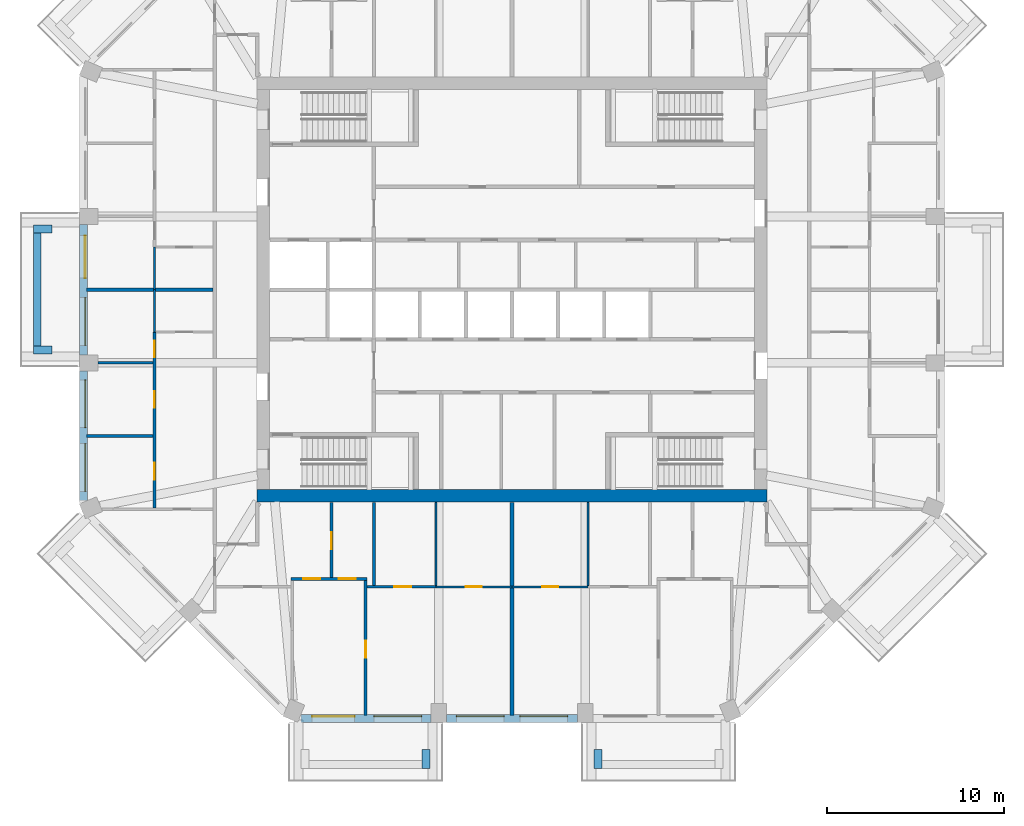
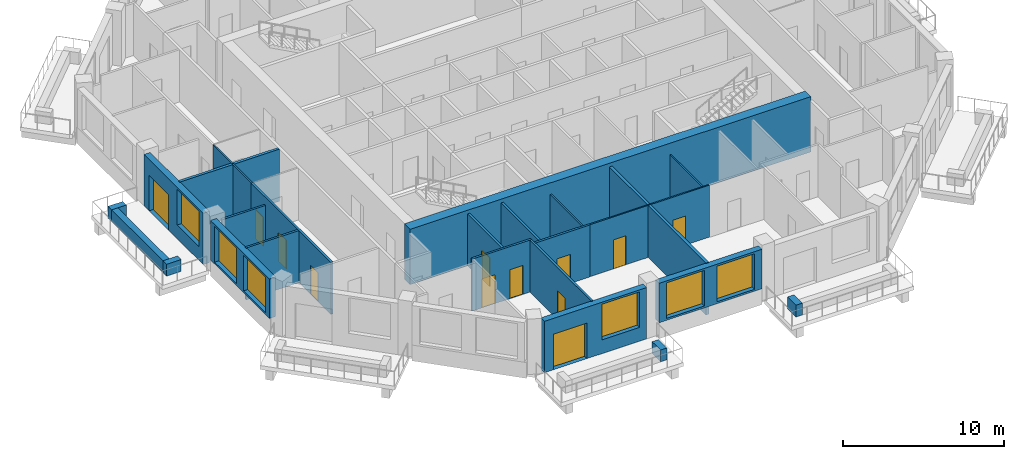
# One storey, part 3 of 12: 26 walls, 12 doors, 6 windows, 18 openings.
"""IFC4 building model written with IfcOpenShell, lengths in metres."""

from ifc_helpers import new_model, si_unit, direction, frame, frame_2d, origin, place, context, subcontext, project, spatial, rectangle, extrude, material, layer, layer_set, type_object, element, fill, save


model = new_model("IFC4")

# Units and contexts
model_context = context("Model", 3, precision=1e-05, world=origin(), true_north=direction((0.0, 1.0)))
body_context = subcontext(model_context, "Body", "Model", "MODEL_VIEW")
ifc_project = project(units=[si_unit("LENGTHUNIT", "METRE"), si_unit("AREAUNIT", "SQUARE_METRE"), si_unit("VOLUMEUNIT", "CUBIC_METRE"), si_unit("PLANEANGLEUNIT", "RADIAN"), si_unit("MASSUNIT", "GRAM", prefix="KILO")], contexts=[model_context])

# Site, building, storey
site_placement = place(None, origin())
site = spatial("IfcSite", under=ifc_project, at=site_placement, CompositionType="ELEMENT")
building_placement = place(site_placement, origin())
building = spatial("IfcBuilding", under=site, at=building_placement, Name="Msitu Wima Residences", CompositionType="ELEMENT")
storey_placement = place(building_placement, frame((0.0, 0.0, 174.89990234375)))
storey = spatial("IfcBuildingStorey", under=building, at=storey_placement, Name="L40", CompositionType="ELEMENT", Elevation=174.89990234375)

# Walls
ifc_material_1 = material(Name="Facing brick")
ifc_layer_1 = layer(ifc_material_1, 0.06494140625, Name="Facing brick")
ifc_material_2 = material(Name="Concrete C40/50", Category="concrete")
ifc_layer_2 = layer(ifc_material_2, 0.156005859375, Name="Concrete C40/50")
ifc_material_3 = material(Name="Waterproofing membrane")
ifc_layer_3 = layer(ifc_material_3, 0.00390625, Name="Waterproofing membrane")
ifc_material_4 = material(Name="Planting soil and planting")
ifc_layer_4 = layer(ifc_material_4, 0.22509765625, Name="Planting soil and planting")
ifc_layer_set_1 = layer_set([ifc_layer_1, ifc_layer_2, ifc_layer_3, ifc_layer_4], Name="Concrete C40/50")
wall_type_1 = type_object("IfcWallType", Name="Balcony planter PLANTER PL450", PredefinedType="USERDEFINED", material=ifc_layer_set_1)
wall_1_placement = place(storey_placement, frame((-26.824951171875, 3.187255859375, 0.0), z_axis=(0.0, 0.0, 1.0), x_axis=(0.0, -1.0, 0.0)))
element("IfcWall", 1, at=wall_1_placement, inside=storey, type_object=wall_type_1, Name="Balcony planter W1 L40", ObjectType="PLANTER", PredefinedType="USERDEFINED", context=body_context, shape_type="SweptSolid", body=[
    extrude(rectangle(XDim=6.37451171875, YDim=0.449951171875, at=frame_2d((3.187255859375, 0.0))), origin(), (0.0, 0.0, 1.0), 0.900146484375),
])
for number, where, z_axis, x_axis, name in (
    (2, (-26.0, 3.412353515625, 0.0), (0.0, 0.0, 1.0), (-1.0, 0.0, 0.0), "Balcony planter W1 L40"),
    (3, (-26.0, -3.412353515625, 0.0), (0.0, 0.0, 1.0), (-1.0, 0.0, 0.0), "Balcony planter W1 L40"),
    (4, (-4.8623046875, -26.0, 0.0), (0.0, 0.0, 1.0), (0.0, -1.0, 0.0), "Balcony planter S0 L40"),
    (5, (4.8623046875, -26.0, 0.0), (0.0, 0.0, 1.0), (0.0, -1.0, 0.0), "Balcony planter S2 L40"),
):
    element("IfcWall", number, at=place(storey_placement, frame(where, z_axis=z_axis, x_axis=x_axis)), inside=storey, type_object=wall_type_1, Name=name, ObjectType="PLANTER", PredefinedType="USERDEFINED", context=body_context, shape_type="SweptSolid", body=[
        extrude(rectangle(XDim=1.050048828125, YDim=0.449951171875, at=frame_2d((0.52490234375, 0.0))), origin(), (0.0, 0.0, 1.0), 0.900146484375),
    ])

# Wall, openings, door, window
ifc_material_5 = material(Name="Brick (red buff mix)", Category="masonry")
ifc_layer_5 = layer(ifc_material_5, 0.449951171875)
ifc_layer_set_2 = layer_set([ifc_layer_5], Name="Brick (red buff mix)")
wall_type_2 = type_object("IfcWallType", Name="Brick infill wall BW450", PredefinedType="SOLIDWALL", material=ifc_layer_set_2)
wall_2_placement = place(storey_placement, frame((-24.22509765625, 3.687255859375, 0.0), z_axis=(0.0, 0.0, 1.0), x_axis=(0.0, -1.0, 0.0)))
wall_2 = element("IfcWall", 6, at=wall_2_placement, inside=storey, type_object=wall_type_2, Name="Brick infill wall L40 W1", PredefinedType="SOLIDWALL", context=body_context, shape_type="SweptSolid", body=[
    extrude(rectangle(XDim=7.37451171875, YDim=0.449951171875, at=frame_2d((3.687255859375, 0.0))), origin(), (0.0, 0.0, 1.0), 3.900146484375),
])
opening_1_placement = place(wall_2_placement, frame((0.6435546875, 0.0, 0.0)))
opening_1 = element("IfcOpeningElement", 7, at=opening_1_placement, cuts=wall_2, Name="Opening D40-42.010", PredefinedType="OPENING", context=body_context, shape_type="SweptSolid", body=[
    extrude(rectangle(XDim=2.39990234375, YDim=2.699951171875, at=frame_2d((1.199951171875, 1.35009765625))), frame((0.0, 0.23486328125, 0.0), z_axis=(0.0, -1.0, 0.0), x_axis=(1.0, 0.0, 0.0)), (0.0, 0.0, 1.0), 0.469970703125),
])
opening_2_placement = place(wall_2_placement, frame((4.13720703125, 0.0, 1.050048828125)))
opening_2 = element("IfcOpeningElement", 8, at=opening_2_placement, cuts=wall_2, Name="Opening W40-42.028", PredefinedType="OPENING", context=body_context, shape_type="SweptSolid", body=[
    extrude(rectangle(XDim=2.699951171875, YDim=2.699951171875, at=frame_2d((1.35009765625, 1.35009765625))), frame((0.0, 0.23486328125, 0.0), z_axis=(0.0, -1.0, 0.0), x_axis=(1.0, 0.0, 0.0)), (0.0, 0.0, 1.0), 0.469970703125),
])
ifc_material_6 = material(Name="Anodised aluminium, bronze finish, clear low-emissivity double glazing", Category="aluminium")
door_type_1 = type_object("IfcDoorType", Name="Balcony door D2400x2700", OperationType="SLIDING_TO_LEFT", PredefinedType="DOOR", material=ifc_material_6)
door_1_placement = place(opening_1_placement, origin())
door_1 = element("IfcDoor", 9, at=door_1_placement, inside=storey, type_object=door_type_1, Name="Balcony door L40 W1", OperationType="SINGLE_SWING_LEFT", OverallHeight=2.699951171875, OverallWidth=2.39990234375, PredefinedType="DOOR", context=body_context, shape_type="SweptSolid", body=[
    extrude(rectangle(XDim=2.39990234375, YDim=2.699951171875, at=frame_2d((1.199951171875, 1.35009765625))), frame((0.0, 0.1298828125, 0.0), z_axis=(0.0, -1.0, 0.0), x_axis=(1.0, 0.0, 0.0)), (0.0, 0.0, 1.0), 0.050048828125),
])
fill(opening_1, door_1)
window_type = type_object("IfcWindowType", Name="Window W2700x2700", PartitioningType="DOUBLE_PANEL_VERTICAL", PredefinedType="WINDOW", material=ifc_material_6)
window_1_placement = place(opening_2_placement, origin())
window_1 = element("IfcWindow", 10, at=window_1_placement, inside=storey, type_object=window_type, Name="Window L40 W1.2", OverallHeight=2.699951171875, OverallWidth=2.699951171875, PartitioningType="SINGLE_PANEL", PredefinedType="WINDOW", context=body_context, shape_type="SweptSolid", body=[
    extrude(rectangle(XDim=2.699951171875, YDim=2.699951171875, at=frame_2d((1.35009765625, 1.35009765625))), frame((0.0, 0.135009765625, 0.0), z_axis=(0.0, -1.0, 0.0), x_axis=(1.0, 0.0, 0.0)), (0.0, 0.0, 1.0), 0.06005859375),
])
fill(opening_2, window_1)

# Wall, openings, windows
wall_3_placement = place(storey_placement, frame((-24.22509765625, -4.587158203125, 0.900146484375), z_axis=(0.0, 0.0, 1.0), x_axis=(0.0, -1.0, 0.0)))
wall_3 = element("IfcWall", 11, at=wall_3_placement, inside=storey, type_object=wall_type_2, Name="Brick infill wall L40 W2", PredefinedType="SOLIDWALL", context=body_context, shape_type="SweptSolid", body=[
    extrude(rectangle(XDim=7.337646484375, YDim=0.449951171875, at=frame_2d((3.6689453125, 0.0))), origin(), (0.0, 0.0, 1.0), 3.0),
])
opening_3_placement = place(wall_3_placement, frame((0.518798828125, 0.0, 0.14990234375)))
opening_3 = element("IfcOpeningElement", 12, at=opening_3_placement, cuts=wall_3, Name="Opening W40-42.029", PredefinedType="OPENING", context=body_context, shape_type="SweptSolid", body=[
    extrude(rectangle(XDim=2.699951171875, YDim=2.699951171875, at=frame_2d((1.35009765625, 1.35009765625))), frame((0.0, 0.23486328125, 0.0), z_axis=(0.0, -1.0, 0.0), x_axis=(1.0, 0.0, 0.0)), (0.0, 0.0, 1.0), 0.469970703125),
])
opening_4_placement = place(wall_3_placement, frame((4.11865234375, 0.0, 0.14990234375)))
opening_4 = element("IfcOpeningElement", 13, at=opening_4_placement, cuts=wall_3, Name="Opening W40-42.030", PredefinedType="OPENING", context=body_context, shape_type="SweptSolid", body=[
    extrude(rectangle(XDim=2.699951171875, YDim=2.699951171875, at=frame_2d((1.35009765625, 1.35009765625))), frame((0.0, 0.23486328125, 0.0), z_axis=(0.0, -1.0, 0.0), x_axis=(1.0, 0.0, 0.0)), (0.0, 0.0, 1.0), 0.469970703125),
])
window_2_placement = place(opening_3_placement, origin())
window_2 = element("IfcWindow", 14, at=window_2_placement, inside=storey, type_object=window_type, Name="Window L40 W2.1", OverallHeight=2.699951171875, OverallWidth=2.699951171875, PartitioningType="SINGLE_PANEL", PredefinedType="WINDOW", context=body_context, shape_type="SweptSolid", body=[
    extrude(rectangle(XDim=2.699951171875, YDim=2.699951171875, at=frame_2d((1.35009765625, 1.35009765625))), frame((0.0, 0.135009765625, 0.0), z_axis=(0.0, -1.0, 0.0), x_axis=(1.0, 0.0, 0.0)), (0.0, 0.0, 1.0), 0.06005859375),
])
fill(opening_3, window_2)
window_3_placement = place(opening_4_placement, origin())
window_3 = element("IfcWindow", 15, at=window_3_placement, inside=storey, type_object=window_type, Name="Window L40 W2.2", OverallHeight=2.699951171875, OverallWidth=2.699951171875, PartitioningType="SINGLE_PANEL", PredefinedType="WINDOW", context=body_context, shape_type="SweptSolid", body=[
    extrude(rectangle(XDim=2.699951171875, YDim=2.699951171875, at=frame_2d((1.35009765625, 1.35009765625))), frame((0.0, 0.135009765625, 0.0), z_axis=(0.0, -1.0, 0.0), x_axis=(1.0, 0.0, 0.0)), (0.0, 0.0, 1.0), 0.06005859375),
])
fill(opening_4, window_3)

# Wall, openings, door, window
wall_4_placement = place(storey_placement, frame((-11.9248046875, -24.22509765625, 0.0), z_axis=(0.0, 0.0, 1.0), x_axis=(1.0, 0.0, 0.0)))
wall_4 = element("IfcWall", 16, at=wall_4_placement, inside=storey, type_object=wall_type_2, Name="Brick infill wall L40 S0", PredefinedType="SOLIDWALL", context=body_context, shape_type="SweptSolid", body=[
    extrude(rectangle(XDim=7.337646484375, YDim=0.449951171875, at=frame_2d((3.6689453125, 0.0))), origin(), (0.0, 0.0, 1.0), 3.900146484375),
])
opening_5_placement = place(wall_4_placement, frame((0.63427734375, 0.0, 0.0)))
opening_5 = element("IfcOpeningElement", 17, at=opening_5_placement, cuts=wall_4, Name="Opening D40-42.006", PredefinedType="OPENING", context=body_context, shape_type="SweptSolid", body=[
    extrude(rectangle(XDim=2.39990234375, YDim=2.699951171875, at=frame_2d((1.199951171875, 1.35009765625))), frame((0.0, 0.23486328125, 0.0), z_axis=(0.0, -1.0, 0.0), x_axis=(1.0, 0.0, 0.0)), (0.0, 0.0, 1.0), 0.469970703125),
])
opening_6_placement = place(wall_4_placement, frame((4.11865234375, 0.0, 1.050048828125)))
opening_6 = element("IfcOpeningElement", 18, at=opening_6_placement, cuts=wall_4, Name="Opening W40-42.016", PredefinedType="OPENING", context=body_context, shape_type="SweptSolid", body=[
    extrude(rectangle(XDim=2.699951171875, YDim=2.699951171875, at=frame_2d((1.35009765625, 1.35009765625))), frame((0.0, 0.23486328125, 0.0), z_axis=(0.0, -1.0, 0.0), x_axis=(1.0, 0.0, 0.0)), (0.0, 0.0, 1.0), 0.469970703125),
])
door_2_placement = place(opening_5_placement, origin())
door_2 = element("IfcDoor", 19, at=door_2_placement, inside=storey, type_object=door_type_1, Name="Balcony door L40 S0", OperationType="SINGLE_SWING_LEFT", OverallHeight=2.699951171875, OverallWidth=2.39990234375, PredefinedType="DOOR", context=body_context, shape_type="SweptSolid", body=[
    extrude(rectangle(XDim=2.39990234375, YDim=2.699951171875, at=frame_2d((1.199951171875, 1.35009765625))), frame((0.0, 0.1298828125, 0.0), z_axis=(0.0, -1.0, 0.0), x_axis=(1.0, 0.0, 0.0)), (0.0, 0.0, 1.0), 0.050048828125),
])
fill(opening_5, door_2)
window_4_placement = place(opening_6_placement, origin())
window_4 = element("IfcWindow", 20, at=window_4_placement, inside=storey, type_object=window_type, Name="Window L40 S0.2", OverallHeight=2.699951171875, OverallWidth=2.699951171875, PartitioningType="SINGLE_PANEL", PredefinedType="WINDOW", context=body_context, shape_type="SweptSolid", body=[
    extrude(rectangle(XDim=2.699951171875, YDim=2.699951171875, at=frame_2d((1.35009765625, 1.35009765625))), frame((0.0, 0.135009765625, 0.0), z_axis=(0.0, -1.0, 0.0), x_axis=(1.0, 0.0, 0.0)), (0.0, 0.0, 1.0), 0.06005859375),
])
fill(opening_6, window_4)

# Wall, openings, windows
wall_5_placement = place(storey_placement, frame((-3.687255859375, -24.22509765625, 0.900146484375), z_axis=(0.0, 0.0, 1.0), x_axis=(1.0, 0.0, 0.0)))
wall_5 = element("IfcWall", 21, at=wall_5_placement, inside=storey, type_object=wall_type_2, Name="Brick infill wall L40 S1", PredefinedType="SOLIDWALL", context=body_context, shape_type="SweptSolid", body=[
    extrude(rectangle(XDim=7.37451171875, YDim=0.449951171875, at=frame_2d((3.687255859375, 0.0))), origin(), (0.0, 0.0, 1.0), 3.0),
])
opening_7_placement = place(wall_5_placement, frame((0.537353515625, 0.0, 0.14990234375)))
opening_7 = element("IfcOpeningElement", 22, at=opening_7_placement, cuts=wall_5, Name="Opening W40-42.017", PredefinedType="OPENING", context=body_context, shape_type="SweptSolid", body=[
    extrude(rectangle(XDim=2.699951171875, YDim=2.699951171875, at=frame_2d((1.35009765625, 1.35009765625))), frame((0.0, 0.23486328125, 0.0), z_axis=(0.0, -1.0, 0.0), x_axis=(1.0, 0.0, 0.0)), (0.0, 0.0, 1.0), 0.469970703125),
])
opening_8_placement = place(wall_5_placement, frame((4.13720703125, 0.0, 0.14990234375)))
opening_8 = element("IfcOpeningElement", 23, at=opening_8_placement, cuts=wall_5, Name="Opening W40-42.018", PredefinedType="OPENING", context=body_context, shape_type="SweptSolid", body=[
    extrude(rectangle(XDim=2.699951171875, YDim=2.699951171875, at=frame_2d((1.35009765625, 1.35009765625))), frame((0.0, 0.23486328125, 0.0), z_axis=(0.0, -1.0, 0.0), x_axis=(1.0, 0.0, 0.0)), (0.0, 0.0, 1.0), 0.469970703125),
])
window_5_placement = place(opening_7_placement, origin())
window_5 = element("IfcWindow", 24, at=window_5_placement, inside=storey, type_object=window_type, Name="Window L40 S1.1", OverallHeight=2.699951171875, OverallWidth=2.699951171875, PartitioningType="SINGLE_PANEL", PredefinedType="WINDOW", context=body_context, shape_type="SweptSolid", body=[
    extrude(rectangle(XDim=2.699951171875, YDim=2.699951171875, at=frame_2d((1.35009765625, 1.35009765625))), frame((0.0, 0.135009765625, 0.0), z_axis=(0.0, -1.0, 0.0), x_axis=(1.0, 0.0, 0.0)), (0.0, 0.0, 1.0), 0.06005859375),
])
fill(opening_7, window_5)
window_6_placement = place(opening_8_placement, origin())
window_6 = element("IfcWindow", 25, at=window_6_placement, inside=storey, type_object=window_type, Name="Window L40 S1.2", OverallHeight=2.699951171875, OverallWidth=2.699951171875, PartitioningType="SINGLE_PANEL", PredefinedType="WINDOW", context=body_context, shape_type="SweptSolid", body=[
    extrude(rectangle(XDim=2.699951171875, YDim=2.699951171875, at=frame_2d((1.35009765625, 1.35009765625))), frame((0.0, 0.135009765625, 0.0), z_axis=(0.0, -1.0, 0.0), x_axis=(1.0, 0.0, 0.0)), (0.0, 0.0, 1.0), 0.06005859375),
])
fill(opening_8, window_6)

# Walls
ifc_material_7 = material(Name="Concrete C60/75", Category="concrete")
ifc_layer_6 = layer(ifc_material_7, 0.699951171875)
ifc_layer_set_3 = layer_set([ifc_layer_6], Name="Concrete C60/75")
wall_type_3 = type_object("IfcWallType", Name="Core wall CW700 C60/75", PredefinedType="SHEAR", material=ifc_layer_set_3)
wall_6_placement = place(storey_placement, frame((-14.39990234375, -11.64990234375, 0.0), z_axis=(0.0, 0.0, 1.0), x_axis=(1.0, 0.0, 0.0)))
element("IfcWall", 26, at=wall_6_placement, inside=storey, type_object=wall_type_3, Name="Core wall", PredefinedType="SHEAR", context=body_context, shape_type="SweptSolid", body=[
    extrude(rectangle(XDim=28.7998046875, YDim=0.699951171875, at=frame_2d((14.39990234375, 0.0))), origin(), (0.0, 0.0, 1.0), 4.2001953125),
])
ifc_material_8 = material(Name="Plaster")
ifc_layer_7 = layer(ifc_material_8, 0.011962890625, Name="Plaster")
ifc_material_9 = material(Name="Concrete blockwork", Category="masonry")
ifc_layer_8 = layer(ifc_material_9, 0.1259765625, Name="Concrete blockwork")
ifc_layer_9 = layer(ifc_material_8, 0.011962890625, Name="Plaster")
ifc_layer_set_4 = layer_set([ifc_layer_7, ifc_layer_8, ifc_layer_9], Name="Concrete blockwork")
wall_type_4 = type_object("IfcWallType", Name="Partition PW150", PredefinedType="PARTITIONING", material=ifc_layer_set_4)
wall_7_placement = place(storey_placement, frame((-24.054931640625, -8.2744140625, 0.0), z_axis=(0.0, 0.0, 1.0), x_axis=(1.0, 0.0, 0.0)))
element("IfcWall", 27, at=wall_7_placement, inside=storey, type_object=wall_type_4, Name="Partition", PredefinedType="PARTITIONING", context=body_context, shape_type="SweptSolid", body=[
    extrude(rectangle(XDim=3.780029296875, YDim=0.14990234375, at=frame_2d((1.89013671875, 0.0))), origin(), (0.0, 0.0, 1.0), 3.9501953125),
])
wall_8_placement = place(storey_placement, frame((-23.39990234375, -4.13720703125, 0.0), z_axis=(0.0, 0.0, 1.0), x_axis=(1.0, 0.0, 0.0)))
element("IfcWall", 28, at=wall_8_placement, inside=storey, type_object=wall_type_4, Name="Partition", PredefinedType="PARTITIONING", context=body_context, shape_type="SweptSolid", body=[
    extrude(rectangle(XDim=3.125, YDim=0.14990234375, at=frame_2d((1.5625, 0.0))), origin(), (0.0, 0.0, 1.0), 3.35009765625),
])

# Wall, openings, doors
wall_9_placement = place(storey_placement, frame((-20.199951171875, -12.336669921875, 0.0), z_axis=(0.0, 0.0, 1.0), x_axis=(0.0, 1.0, 0.0)))
wall_9 = element("IfcWall", 29, at=wall_9_placement, inside=storey, type_object=wall_type_4, Name="Partition", PredefinedType="PARTITIONING", context=body_context, shape_type="SweptSolid", body=[
    extrude(rectangle(XDim=9.936767578125, YDim=0.14990234375, at=frame_2d((4.96826171875, 0.0))), origin(), (0.0, 0.0, 1.0), 3.9501953125),
])
opening_9_placement = place(wall_9_placement, frame((8.5, 0.0, 0.0)))
opening_9 = element("IfcOpeningElement", 30, at=opening_9_placement, cuts=wall_9, Name="Opening D40-42.050", PredefinedType="OPENING", context=body_context, shape_type="SweptSolid", body=[
    extrude(rectangle(XDim=0.949951171875, YDim=2.199951171875, at=frame_2d((0.47509765625, 1.10009765625))), frame((0.0, 0.0849609375, 0.0), z_axis=(0.0, -1.0, 0.0), x_axis=(1.0, 0.0, 0.0)), (0.0, 0.0, 1.0), 0.169921875),
])
opening_10_placement = place(wall_9_placement, frame((5.64990234375, 0.0, 0.0)))
opening_10 = element("IfcOpeningElement", 31, at=opening_10_placement, cuts=wall_9, Name="Opening D40-42.051", PredefinedType="OPENING", context=body_context, shape_type="SweptSolid", body=[
    extrude(rectangle(XDim=0.949951171875, YDim=2.199951171875, at=frame_2d((0.47509765625, 1.10009765625))), frame((0.0, 0.0849609375, 0.0), z_axis=(0.0, -1.0, 0.0), x_axis=(1.0, 0.0, 0.0)), (0.0, 0.0, 1.0), 0.169921875),
])
opening_11_placement = place(wall_9_placement, frame((1.60009765625, 0.0, 0.0)))
opening_11 = element("IfcOpeningElement", 32, at=opening_11_placement, cuts=wall_9, Name="Opening D40-42.052", PredefinedType="OPENING", context=body_context, shape_type="SweptSolid", body=[
    extrude(rectangle(XDim=0.949951171875, YDim=2.199951171875, at=frame_2d((0.47509765625, 1.10009765625))), frame((0.0, 0.0849609375, 0.0), z_axis=(0.0, -1.0, 0.0), x_axis=(1.0, 0.0, 0.0)), (0.0, 0.0, 1.0), 0.169921875),
])
ifc_material_10 = material(Name="Timber flush door", Category="wood")
door_type_2 = type_object("IfcDoorType", Name="Room door D12 950x2200", OperationType="SINGLE_SWING_LEFT", PredefinedType="DOOR", material=ifc_material_10)
door_3_placement = place(opening_9_placement, origin())
door_3 = element("IfcDoor", 33, at=door_3_placement, inside=storey, type_object=door_type_2, Name="Room door", OperationType="SINGLE_SWING_LEFT", OverallHeight=2.199951171875, OverallWidth=0.949951171875, PredefinedType="DOOR", context=body_context, shape_type="SweptSolid", body=[
    extrude(rectangle(XDim=0.949951171875, YDim=2.199951171875, at=frame_2d((0.47509765625, 1.10009765625))), frame((0.0, 0.02490234375, 0.0), z_axis=(0.0, -1.0, 0.0), x_axis=(1.0, 0.0, 0.0)), (0.0, 0.0, 1.0), 0.050048828125),
])
fill(opening_9, door_3)
door_4_placement = place(opening_10_placement, origin())
door_4 = element("IfcDoor", 34, at=door_4_placement, inside=storey, type_object=door_type_2, Name="Room door", OperationType="SINGLE_SWING_LEFT", OverallHeight=2.199951171875, OverallWidth=0.949951171875, PredefinedType="DOOR", context=body_context, shape_type="SweptSolid", body=[
    extrude(rectangle(XDim=0.949951171875, YDim=2.199951171875, at=frame_2d((0.47509765625, 1.10009765625))), frame((0.0, 0.02490234375, 0.0), z_axis=(0.0, -1.0, 0.0), x_axis=(1.0, 0.0, 0.0)), (0.0, 0.0, 1.0), 0.050048828125),
])
fill(opening_10, door_4)
door_5_placement = place(opening_11_placement, origin())
door_5 = element("IfcDoor", 35, at=door_5_placement, inside=storey, type_object=door_type_2, Name="Room door", OperationType="SINGLE_SWING_RIGHT", OverallHeight=2.199951171875, OverallWidth=0.949951171875, PredefinedType="DOOR", context=body_context, shape_type="SweptSolid", body=[
    extrude(rectangle(XDim=0.949951171875, YDim=2.199951171875, at=frame_2d((0.47509765625, 1.10009765625))), frame((0.0, 0.02490234375, 0.0), z_axis=(0.0, -1.0, 0.0), x_axis=(1.0, 0.0, 0.0)), (0.0, 0.0, 1.0), 0.050048828125),
])
fill(opening_11, door_5)

wall_10_placement = place(storey_placement, frame((-12.48681640625, -16.35009765625, 0.0), z_axis=(0.0, 0.0, 1.0), x_axis=(1.0, 0.0, 0.0)))
wall_10 = element("IfcWall", 36, at=wall_10_placement, inside=storey, type_object=wall_type_4, Name="Partition", PredefinedType="PARTITIONING", context=body_context, shape_type="SweptSolid", body=[
    extrude(rectangle(XDim=4.287353515625, YDim=0.14990234375, at=frame_2d((2.1435546875, 0.0))), origin(), (0.0, 0.0, 1.0), 3.9501953125),
])
opening_12_placement = place(wall_10_placement, frame((0.699951171875, 0.0, 0.0)))
opening_12 = element("IfcOpeningElement", 37, at=opening_12_placement, cuts=wall_10, Name="Opening D40-42.045", PredefinedType="OPENING", context=body_context, shape_type="SweptSolid", body=[
    extrude(rectangle(XDim=0.949951171875, YDim=2.199951171875, at=frame_2d((0.47509765625, 1.10009765625))), frame((0.0, 0.0849609375, 0.0), z_axis=(0.0, -1.0, 0.0), x_axis=(1.0, 0.0, 0.0)), (0.0, 0.0, 1.0), 0.169921875),
])
opening_13_placement = place(wall_10_placement, frame((2.699951171875, 0.0, 0.0)))
opening_13 = element("IfcOpeningElement", 38, at=opening_13_placement, cuts=wall_10, Name="Opening D40-42.044", PredefinedType="OPENING", context=body_context, shape_type="SweptSolid", body=[
    extrude(rectangle(XDim=0.949951171875, YDim=2.199951171875, at=frame_2d((0.47509765625, 1.10009765625))), frame((0.0, 0.0849609375, 0.0), z_axis=(0.0, -1.0, 0.0), x_axis=(1.0, 0.0, 0.0)), (0.0, 0.0, 1.0), 0.169921875),
])
door_6_placement = place(opening_12_placement, origin())
door_6 = element("IfcDoor", 39, at=door_6_placement, inside=storey, type_object=door_type_2, Name="Room door", OperationType="SINGLE_SWING_RIGHT", OverallHeight=2.199951171875, OverallWidth=0.949951171875, PredefinedType="DOOR", context=body_context, shape_type="SweptSolid", body=[
    extrude(rectangle(XDim=0.949951171875, YDim=2.199951171875, at=frame_2d((0.47509765625, 1.10009765625))), frame((0.0, 0.02490234375, 0.0), z_axis=(0.0, -1.0, 0.0), x_axis=(1.0, 0.0, 0.0)), (0.0, 0.0, 1.0), 0.050048828125),
])
fill(opening_12, door_6)
door_7_placement = place(opening_13_placement, origin())
door_7 = element("IfcDoor", 40, at=door_7_placement, inside=storey, type_object=door_type_2, Name="Room door", OperationType="SINGLE_SWING_LEFT", OverallHeight=2.199951171875, OverallWidth=0.949951171875, PredefinedType="DOOR", context=body_context, shape_type="SweptSolid", body=[
    extrude(rectangle(XDim=0.949951171875, YDim=2.199951171875, at=frame_2d((0.47509765625, 1.10009765625))), frame((0.0, 0.02490234375, 0.0), z_axis=(0.0, -1.0, 0.0), x_axis=(1.0, 0.0, 0.0)), (0.0, 0.0, 1.0), 0.050048828125),
])
fill(opening_13, door_7)

# Wall, opening, door
wall_11_placement = place(storey_placement, frame((-10.199951171875, -16.27490234375, 0.0), z_axis=(0.0, 0.0, 1.0), x_axis=(0.0, 1.0, 0.0)))
wall_11 = element("IfcWall", 41, at=wall_11_placement, inside=storey, type_object=wall_type_4, Name="Partition", PredefinedType="PARTITIONING", context=body_context, shape_type="SweptSolid", body=[
    extrude(rectangle(XDim=4.244873046875, YDim=0.14990234375, at=frame_2d((2.12255859375, 0.0))), origin(), (0.0, 0.0, 1.0), 3.9501953125),
])
opening_14_placement = place(wall_11_placement, frame((1.60009765625, 0.0, 0.0)))
opening_14 = element("IfcOpeningElement", 42, at=opening_14_placement, cuts=wall_11, Name="Opening D40-42.040", PredefinedType="OPENING", context=body_context, shape_type="SweptSolid", body=[
    extrude(rectangle(XDim=0.949951171875, YDim=2.199951171875, at=frame_2d((0.47509765625, 1.10009765625))), frame((0.0, 0.0849609375, 0.0), z_axis=(0.0, -1.0, 0.0), x_axis=(1.0, 0.0, 0.0)), (0.0, 0.0, 1.0), 0.169921875),
])
door_8_placement = place(opening_14_placement, origin())
door_8 = element("IfcDoor", 43, at=door_8_placement, inside=storey, type_object=door_type_2, Name="Room door", OperationType="SINGLE_SWING_RIGHT", OverallHeight=2.199951171875, OverallWidth=0.949951171875, PredefinedType="DOOR", context=body_context, shape_type="SweptSolid", body=[
    extrude(rectangle(XDim=0.949951171875, YDim=2.199951171875, at=frame_2d((0.47509765625, 1.10009765625))), frame((0.0, 0.02490234375, 0.0), z_axis=(0.0, -1.0, 0.0), x_axis=(1.0, 0.0, 0.0)), (0.0, 0.0, 1.0), 0.050048828125),
])
fill(opening_14, door_8)

wall_12_placement = place(storey_placement, frame((-8.2744140625, -24.054931640625, 0.0), z_axis=(0.0, 0.0, 1.0), x_axis=(0.0, 1.0, 0.0)))
wall_12 = element("IfcWall", 44, at=wall_12_placement, inside=storey, type_object=wall_type_4, Name="Partition", PredefinedType="PARTITIONING", context=body_context, shape_type="SweptSolid", body=[
    extrude(rectangle(XDim=7.6298828125, YDim=0.14990234375, at=frame_2d((3.81494140625, 0.0))), origin(), (0.0, 0.0, 1.0), 3.9501953125),
])
opening_15_placement = place(wall_12_placement, frame((3.25, 0.0, 0.0)))
opening_15 = element("IfcOpeningElement", 45, at=opening_15_placement, cuts=wall_12, Name="Opening D40-42.048", PredefinedType="OPENING", context=body_context, shape_type="SweptSolid", body=[
    extrude(rectangle(XDim=0.949951171875, YDim=2.199951171875, at=frame_2d((0.47509765625, 1.10009765625))), frame((0.0, 0.0849609375, 0.0), z_axis=(0.0, -1.0, 0.0), x_axis=(1.0, 0.0, 0.0)), (0.0, 0.0, 1.0), 0.169921875),
])
door_9_placement = place(opening_15_placement, origin())
door_9 = element("IfcDoor", 46, at=door_9_placement, inside=storey, type_object=door_type_2, Name="Room door", OperationType="SINGLE_SWING_LEFT", OverallHeight=2.199951171875, OverallWidth=0.949951171875, PredefinedType="DOOR", context=body_context, shape_type="SweptSolid", body=[
    extrude(rectangle(XDim=0.949951171875, YDim=2.199951171875, at=frame_2d((0.47509765625, 1.10009765625))), frame((0.0, 0.02490234375, 0.0), z_axis=(0.0, -1.0, 0.0), x_axis=(1.0, 0.0, 0.0)), (0.0, 0.0, 1.0), 0.050048828125),
])
fill(opening_15, door_9)

wall_13_placement = place(storey_placement, frame((-8.199462890625, -16.800048828125, 0.0), z_axis=(0.0, 0.0, 1.0), x_axis=(1.0, 0.0, 0.0)))
wall_13 = element("IfcWall", 47, at=wall_13_placement, inside=storey, type_object=wall_type_4, Name="Partition", PredefinedType="PARTITIONING", context=body_context, shape_type="SweptSolid", body=[
    extrude(rectangle(XDim=3.8994140625, YDim=0.14990234375, at=frame_2d((1.94970703125, 0.0))), origin(), (0.0, 0.0, 1.0), 3.9501953125),
])
opening_16_placement = place(wall_13_placement, frame((1.550048828125, 0.0, 0.0)))
opening_16 = element("IfcOpeningElement", 48, at=opening_16_placement, cuts=wall_13, Name="Opening D40-42.042", PredefinedType="OPENING", context=body_context, shape_type="SweptSolid", body=[
    extrude(rectangle(XDim=0.949951171875, YDim=2.199951171875, at=frame_2d((0.47509765625, 1.10009765625))), frame((0.0, 0.0849609375, 0.0), z_axis=(0.0, -1.0, 0.0), x_axis=(1.0, 0.0, 0.0)), (0.0, 0.0, 1.0), 0.169921875),
])
door_10_placement = place(opening_16_placement, origin())
door_10 = element("IfcDoor", 49, at=door_10_placement, inside=storey, type_object=door_type_2, Name="Room door", OperationType="SINGLE_SWING_RIGHT", OverallHeight=2.199951171875, OverallWidth=0.949951171875, PredefinedType="DOOR", context=body_context, shape_type="SweptSolid", body=[
    extrude(rectangle(XDim=0.949951171875, YDim=2.199951171875, at=frame_2d((0.47509765625, 1.10009765625))), frame((0.0, 0.02490234375, 0.0), z_axis=(0.0, -1.0, 0.0), x_axis=(1.0, 0.0, 0.0)), (0.0, 0.0, 1.0), 0.050048828125),
])
fill(opening_16, door_10)

# Walls
wall_14_placement = place(storey_placement, frame((-7.800048828125, -16.72509765625, 0.0), z_axis=(0.0, 0.0, 1.0), x_axis=(0.0, 1.0, 0.0)))
element("IfcWall", 50, at=wall_14_placement, inside=storey, type_object=wall_type_4, Name="Partition", PredefinedType="PARTITIONING", context=body_context, shape_type="SweptSolid", body=[
    extrude(rectangle(XDim=4.695068359375, YDim=0.14990234375, at=frame_2d((2.34765625, 0.0))), origin(), (0.0, 0.0, 1.0), 3.9501953125),
])
ifc_layer_10 = layer(ifc_material_8, 0.011962890625, Name="Plaster")
ifc_material_11 = material(Name="Dense concrete blockwork", Category="masonry")
ifc_layer_11 = layer(ifc_material_11, 0.176025390625, Name="Dense concrete blockwork")
ifc_layer_12 = layer(ifc_material_8, 0.011962890625, Name="Plaster")
ifc_layer_set_5 = layer_set([ifc_layer_10, ifc_layer_11, ifc_layer_12], Name="Dense concrete blockwork")
wall_type_5 = type_object("IfcWallType", Name="Party wall PW200", PredefinedType="PARTITIONING", material=ifc_layer_set_5)
wall_15_placement = place(storey_placement, frame((-24.054931640625, 0.0, 0.0), z_axis=(0.0, 0.0, 1.0), x_axis=(1.0, 0.0, 0.0)))
element("IfcWall", 51, at=wall_15_placement, inside=storey, type_object=wall_type_5, Name="Party wall", PredefinedType="PARTITIONING", context=body_context, shape_type="SweptSolid", body=[
    extrude(rectangle(XDim=7.155029296875, YDim=0.199951171875, at=frame_2d((3.57763671875, 0.0))), origin(), (0.0, 0.0, 1.0), 3.9501953125),
])
wall_16_placement = place(storey_placement, frame((0.0, -24.054931640625, 0.0), z_axis=(0.0, 0.0, 1.0), x_axis=(0.0, 1.0, 0.0)))
element("IfcWall", 52, at=wall_16_placement, inside=storey, type_object=wall_type_5, Name="Party wall", PredefinedType="PARTITIONING", context=body_context, shape_type="SweptSolid", body=[
    extrude(rectangle(XDim=12.02490234375, YDim=0.199951171875, at=frame_2d((6.012451171875, 0.0))), origin(), (0.0, 0.0, 1.0), 3.9501953125),
])
ifc_material_12 = material(Name="Ceramic tiles")
ifc_layer_13 = layer(ifc_material_12, 0.008056640625, Name="Ceramic tiles")
ifc_material_13 = material(Name="Moisture-resistant board")
ifc_layer_14 = layer(ifc_material_13, 0.012451171875, Name="Moisture-resistant board")
ifc_material_14 = material(Name="Light-gauge stud framing with mineral wool")
ifc_layer_15 = layer(ifc_material_14, 0.06689453125, Name="Light-gauge stud framing with mineral wool")
ifc_layer_16 = layer(ifc_material_13, 0.012451171875, Name="Moisture-resistant board")
ifc_layer_set_6 = layer_set([ifc_layer_13, ifc_layer_14, ifc_layer_15, ifc_layer_16], Name="Light-gauge stud framing with mineral wool")
wall_type_6 = type_object("IfcWallType", Name="Wet wall PW100", PredefinedType="PARTITIONING", material=ifc_layer_set_6)
for number, where, z_axis, x_axis, name in (
    (53, (-20.199951171875, -2.39990234375, 0.0), (0.0, 0.0, 1.0), (0.0, 1.0, 0.0), "Wet wall"),
    (54, (-20.199951171875, 0.0, 0.0), (0.0, 0.0, 1.0), (0.0, 1.0, 0.0), "Wet wall"),
):
    element("IfcWall", number, at=place(storey_placement, frame(where, z_axis=z_axis, x_axis=x_axis)), inside=storey, type_object=wall_type_6, Name=name, PredefinedType="PARTITIONING", context=body_context, shape_type="SweptSolid", body=[
        extrude(rectangle(XDim=2.39990234375, YDim=0.10009765625, at=frame_2d((1.199951171875, 0.0))), origin(), (0.0, 0.0, 1.0), 3.9501953125),
    ])
wall_17_placement = place(storey_placement, frame((-4.300048828125, -16.72509765625, 0.0), z_axis=(0.0, 0.0, 1.0), x_axis=(0.0, 1.0, 0.0)))
element("IfcWall", 55, at=wall_17_placement, inside=storey, type_object=wall_type_6, Name="Wet wall", PredefinedType="PARTITIONING", context=body_context, shape_type="SweptSolid", body=[
    extrude(rectangle(XDim=4.695068359375, YDim=0.10009765625, at=frame_2d((2.34765625, 0.0))), origin(), (0.0, 0.0, 1.0), 3.35009765625),
])

# Wall, opening, door
wall_18_placement = place(storey_placement, frame((-4.300048828125, -16.800048828125, 0.0), z_axis=(0.0, 0.0, 1.0), x_axis=(1.0, 0.0, 0.0)))
wall_18 = element("IfcWall", 56, at=wall_18_placement, inside=storey, type_object=wall_type_6, Name="Wet wall", PredefinedType="PARTITIONING", context=body_context, shape_type="SweptSolid", body=[
    extrude(rectangle(XDim=4.300048828125, YDim=0.10009765625, at=frame_2d((2.14990234375, 0.0))), origin(), (0.0, 0.0, 1.0), 3.9501953125),
])
opening_17_placement = place(wall_18_placement, frame((1.699951171875, 0.0, 0.0)))
opening_17 = element("IfcOpeningElement", 57, at=opening_17_placement, cuts=wall_18, Name="Opening D40-42.041", PredefinedType="OPENING", context=body_context, shape_type="SweptSolid", body=[
    extrude(rectangle(XDim=0.89990234375, YDim=2.199951171875, at=frame_2d((0.449951171875, 1.10009765625))), frame((0.0, 0.06005859375, 0.0), z_axis=(0.0, -1.0, 0.0), x_axis=(1.0, 0.0, 0.0)), (0.0, 0.0, 1.0), 0.1201171875),
])
ifc_material_15 = material(Name="Timber flush door, moisture resistant", Category="wood")
door_type_3 = type_object("IfcDoorType", Name="Bathroom door D03 900x2200", OperationType="SINGLE_SWING_LEFT", PredefinedType="DOOR", material=ifc_material_15)
door_11_placement = place(opening_17_placement, origin())
door_11 = element("IfcDoor", 58, at=door_11_placement, inside=storey, type_object=door_type_3, Name="Bathroom door", OperationType="SINGLE_SWING_RIGHT", OverallHeight=2.199951171875, OverallWidth=0.89990234375, PredefinedType="DOOR", context=body_context, shape_type="SweptSolid", body=[
    extrude(rectangle(XDim=0.89990234375, YDim=2.199951171875, at=frame_2d((0.449951171875, 1.10009765625))), frame((0.0, 0.02490234375, 0.0), z_axis=(0.0, -1.0, 0.0), x_axis=(1.0, 0.0, 0.0)), (0.0, 0.0, 1.0), 0.050048828125),
])
fill(opening_17, door_11)

wall_19_placement = place(storey_placement, frame((0.0, -16.800048828125, 0.0), z_axis=(0.0, 0.0, 1.0), x_axis=(1.0, 0.0, 0.0)))
wall_19 = element("IfcWall", 59, at=wall_19_placement, inside=storey, type_object=wall_type_6, Name="Wet wall", PredefinedType="PARTITIONING", context=body_context, shape_type="SweptSolid", body=[
    extrude(rectangle(XDim=4.300048828125, YDim=0.10009765625, at=frame_2d((2.14990234375, 0.0))), origin(), (0.0, 0.0, 1.0), 3.9501953125),
])
opening_18_placement = place(wall_19_placement, frame((1.699951171875, 0.0, 0.0)))
opening_18 = element("IfcOpeningElement", 60, at=opening_18_placement, cuts=wall_19, Name="Opening D40-42.055", PredefinedType="OPENING", context=body_context, shape_type="SweptSolid", body=[
    extrude(rectangle(XDim=0.89990234375, YDim=2.199951171875, at=frame_2d((0.449951171875, 1.10009765625))), frame((0.0, 0.06005859375, 0.0), z_axis=(0.0, -1.0, 0.0), x_axis=(1.0, 0.0, 0.0)), (0.0, 0.0, 1.0), 0.1201171875),
])
door_12_placement = place(opening_18_placement, origin())
door_12 = element("IfcDoor", 61, at=door_12_placement, inside=storey, type_object=door_type_3, Name="Bathroom door", OperationType="SINGLE_SWING_LEFT", OverallHeight=2.199951171875, OverallWidth=0.89990234375, PredefinedType="DOOR", context=body_context, shape_type="SweptSolid", body=[
    extrude(rectangle(XDim=0.89990234375, YDim=2.199951171875, at=frame_2d((0.449951171875, 1.10009765625))), frame((0.0, 0.02490234375, 0.0), z_axis=(0.0, -1.0, 0.0), x_axis=(1.0, 0.0, 0.0)), (0.0, 0.0, 1.0), 0.050048828125),
])
fill(opening_18, door_12)

# Wall
wall_20_placement = place(storey_placement, frame((4.300048828125, -16.72509765625, 0.0), z_axis=(0.0, 0.0, 1.0), x_axis=(0.0, 1.0, 0.0)))
element("IfcWall", 62, at=wall_20_placement, inside=storey, type_object=wall_type_6, Name="Wet wall", PredefinedType="PARTITIONING", context=body_context, shape_type="SweptSolid", body=[
    extrude(rectangle(XDim=4.695068359375, YDim=0.10009765625, at=frame_2d((2.34765625, 0.0))), origin(), (0.0, 0.0, 1.0), 3.35009765625),
])

save(model, "model.ifc")
